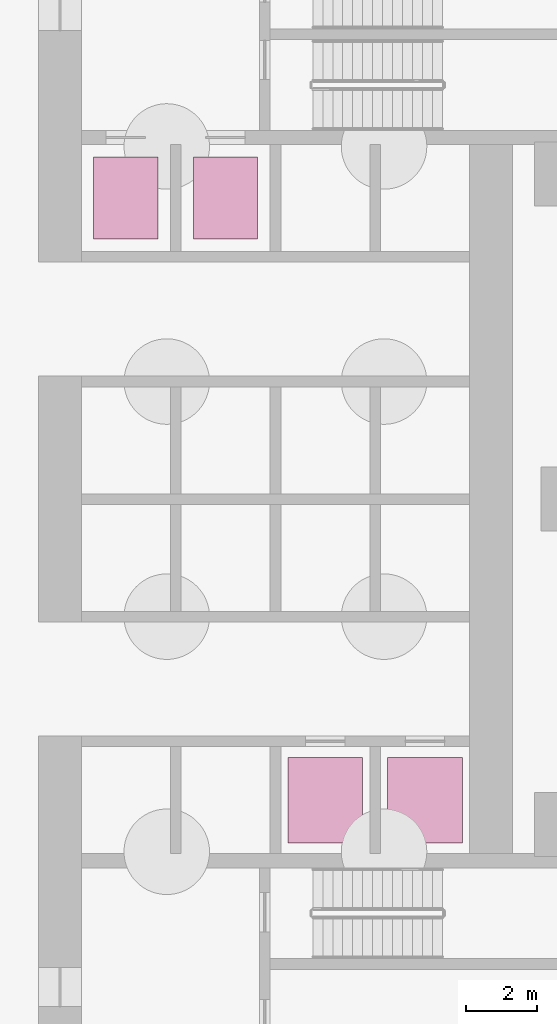
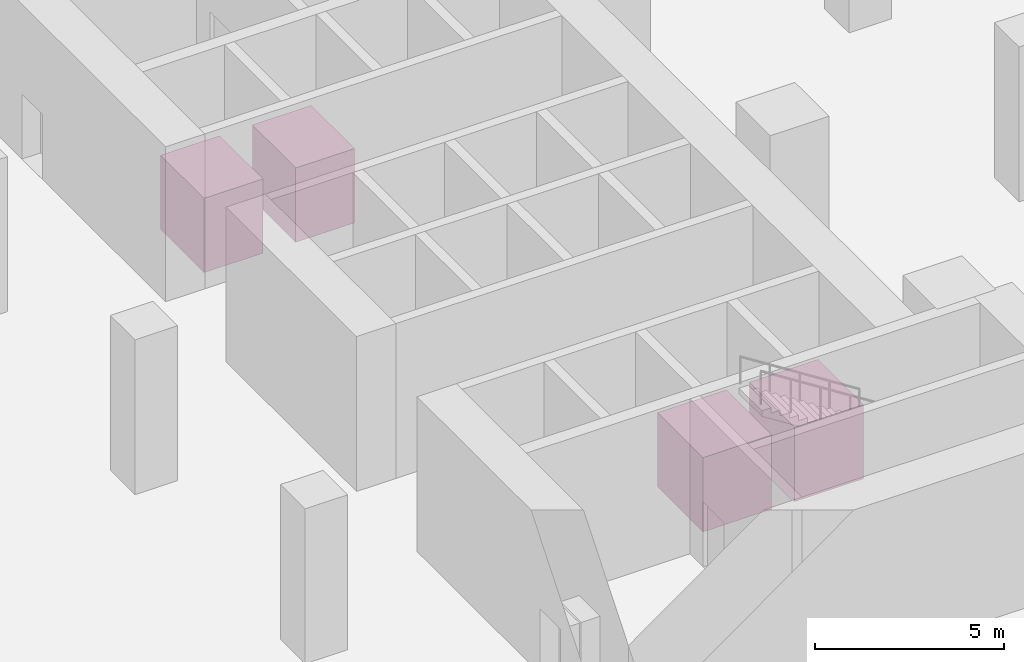
# One storey, part 11 of 11: 4 transport elements.
"""IFC4 building model written with IfcOpenShell, lengths in metres."""

from ifc_helpers import new_model, si_unit, direction, frame, origin, origin_2d, place, context, subcontext, project, spatial, rectangle, extrude, material, type_object, element, save


model = new_model("IFC4")

# Units and contexts
model_context = context("Model", 3, precision=1e-05, world=origin(), true_north=direction((0.0, 1.0)))
body_context = subcontext(model_context, "Body", "Model", "MODEL_VIEW")
ifc_project = project(units=[si_unit("LENGTHUNIT", "METRE"), si_unit("AREAUNIT", "SQUARE_METRE"), si_unit("VOLUMEUNIT", "CUBIC_METRE"), si_unit("PLANEANGLEUNIT", "RADIAN"), si_unit("MASSUNIT", "GRAM", prefix="KILO")], contexts=[model_context])

# Site, building, storey
site_placement = place(None, origin())
site = spatial("IfcSite", under=ifc_project, at=site_placement, CompositionType="ELEMENT")
building_placement = place(site_placement, origin())
building = spatial("IfcBuilding", under=site, at=building_placement, Name="Ostrand Prow Hotel Tower", CompositionType="ELEMENT")
storey_placement = place(building_placement, frame((0.0, 0.0, -10.0)))
storey = spatial("IfcBuildingStorey", under=building, at=storey_placement, Name="B2", CompositionType="ELEMENT", Elevation=-10.0)

# Transport elements
ifc_material = material(Name="Stainless steel", Category="steel")
transport_element_type = type_object("IfcTransportElementType", Name="Passenger lift car", PredefinedType="ELEVATOR", material=ifc_material)
for number, where, z_axis, x_axis, name in (
    (1, (51.949951171875, 8.449951171875, 0.0), (0.0, 0.0, 1.0), (1.0, 0.0, 0.0), "LIFT FF1"),
    (2, (54.75, 8.449951171875, 0.0), (0.0, 0.0, 1.0), (1.0, 0.0, 0.0), "LIFT FF2"),
):
    element("IfcTransportElement", number, at=place(storey_placement, frame(where, z_axis=z_axis, x_axis=x_axis)), inside=storey, type_object=transport_element_type, Name=name, PredefinedType="ELEVATOR", context=body_context, shape_type="SweptSolid", body=[
        extrude(rectangle(XDim=1.800048828125, YDim=2.300048828125, at=origin_2d()), origin(), (0.0, 0.0, 1.0), 2.39990234375),
    ])
for number, where, z_axis, x_axis, name in (
    (3, (57.550048828125, -8.449951171875, 0.0), (0.0, 0.0, 1.0), (1.0, 0.0, 0.0), "LIFT SV1"),
    (4, (60.35009765625, -8.449951171875, 0.0), (0.0, 0.0, 1.0), (1.0, 0.0, 0.0), "LIFT SV2"),
):
    element("IfcTransportElement", number, at=place(storey_placement, frame(where, z_axis=z_axis, x_axis=x_axis)), inside=storey, type_object=transport_element_type, Name=name, PredefinedType="ELEVATOR", context=body_context, shape_type="SweptSolid", body=[
        extrude(rectangle(XDim=2.10009765625, YDim=2.39990234375, at=origin_2d()), origin(), (0.0, 0.0, 1.0), 2.39990234375),
    ])

save(model, "model.ifc")
